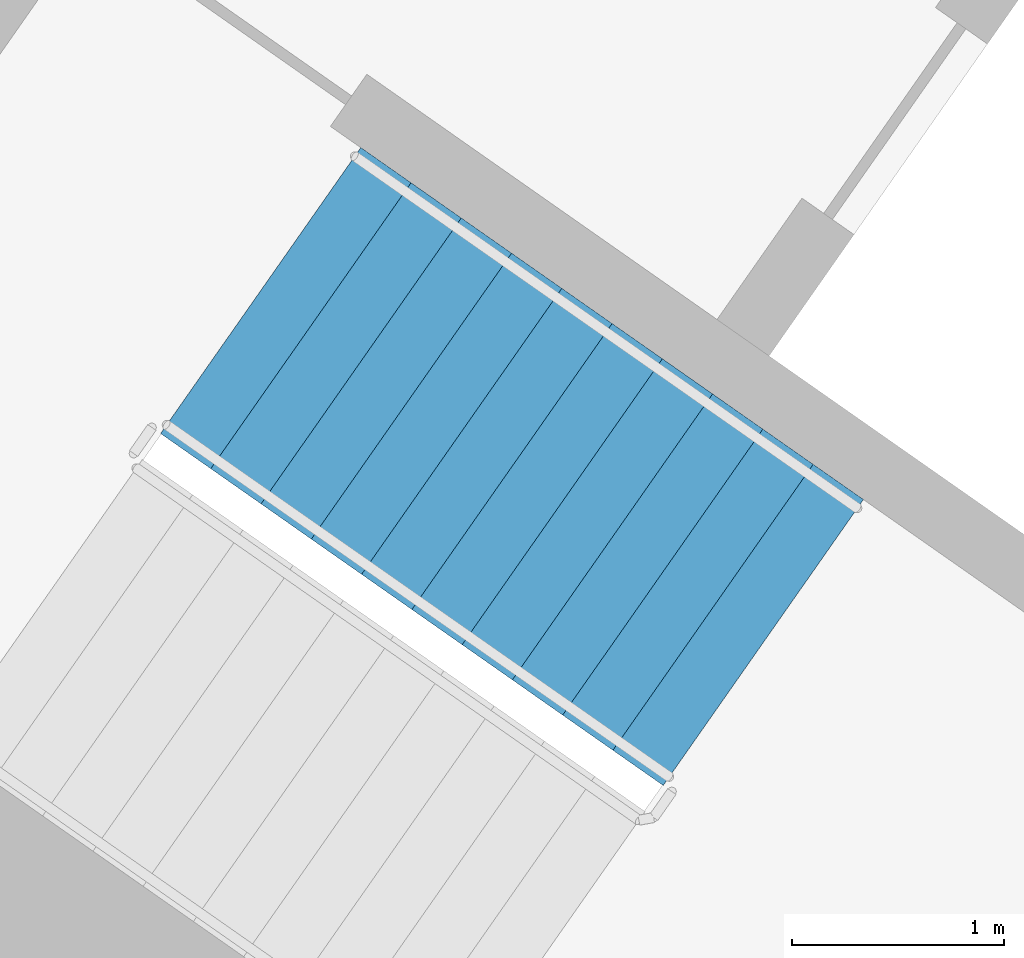
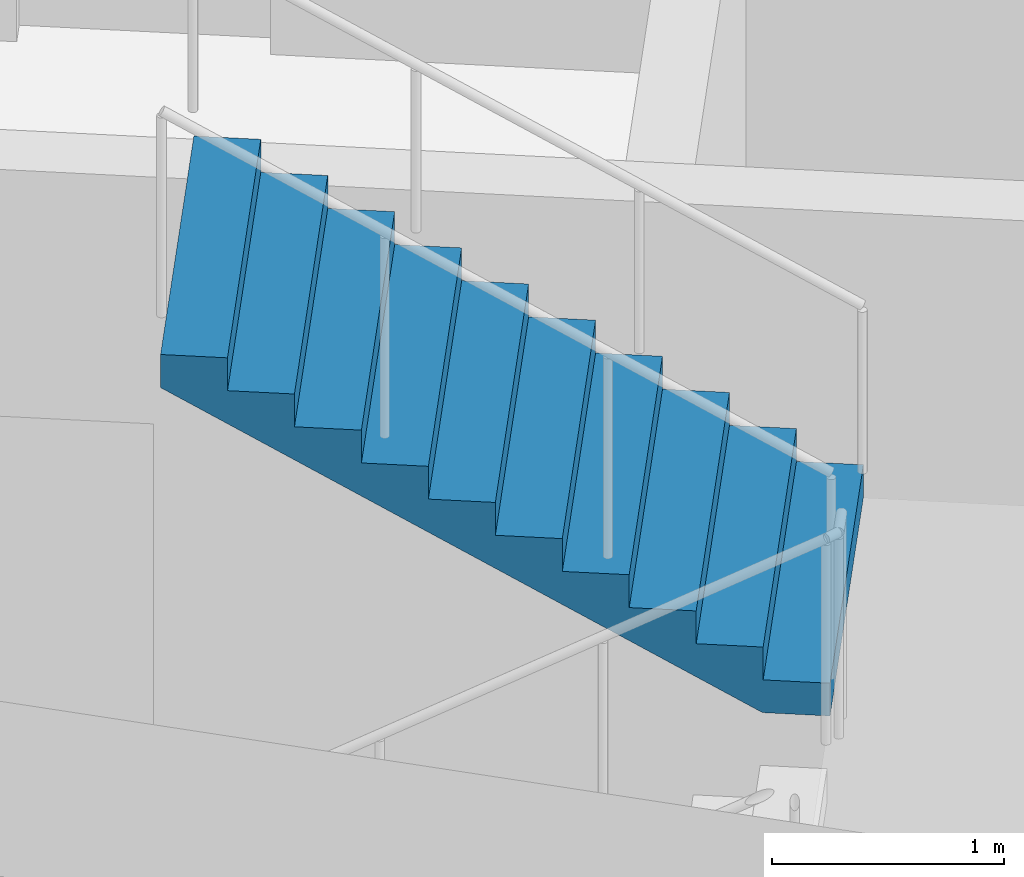
# One storey, part 11 of 31: 1 stair flight, 1 element without a shape of its own.
"""IFC4 building model written with IfcOpenShell, lengths in metres."""

from ifc_helpers import new_model, si_unit, direction, frame, origin, place, context, subcontext, project, spatial, faceted_brep, material, type_object, element, aggregate, save


model = new_model("IFC4")

# Units and contexts
model_context = context("Model", 3, precision=1e-05, world=origin(), true_north=direction((0.0, 1.0)))
body_context = subcontext(model_context, "Body", "Model", "MODEL_VIEW")
ifc_project = project(units=[si_unit("LENGTHUNIT", "METRE"), si_unit("AREAUNIT", "SQUARE_METRE"), si_unit("VOLUMEUNIT", "CUBIC_METRE"), si_unit("PLANEANGLEUNIT", "RADIAN"), si_unit("MASSUNIT", "GRAM", prefix="KILO")], contexts=[model_context])

# Site, building, storey
site_placement = place(None, origin())
site = spatial("IfcSite", under=ifc_project, at=site_placement, CompositionType="ELEMENT")
building_placement = place(site_placement, origin())
building = spatial("IfcBuilding", under=site, at=building_placement, Name="Qamariyya Broadcast Tower", CompositionType="ELEMENT")
storey_placement = place(building_placement, frame((0.0, 0.0, 86.10009765625)))
storey = spatial("IfcBuildingStorey", under=building, at=storey_placement, Name="L18", CompositionType="ELEMENT", Elevation=86.10009765625)

# Stair, stair flight
ifc_material = material(Name="Concrete C50/60", Category="concrete")
stair_type = type_object("IfcStairType", Name="Exit stair 22 risers of 173 mm", PredefinedType="HALF_TURN_STAIR", material=ifc_material)
stair_placement = place(storey_placement, origin())
stair = element("IfcStair", 1, at=stair_placement, inside=storey, type_object=stair_type, Name="L18 Stair W1", PredefinedType="HALF_TURN_STAIR")
stair_flight_type = type_object("IfcStairFlightType", Name="Exit stair flight 11 risers of 173 mm", PredefinedType="STRAIGHT", material=ifc_material)
stair_flight_placement = place(storey_placement, frame((-43.660888671875, -57.17138671875, 1.89990234375), z_axis=(0.0, 0.0, 1.0), x_axis=(-0.819152044289, 0.573576436351, 0.0)))
stair_flight = element("IfcStairFlight", 2, at=stair_flight_placement, type_object=stair_flight_type, Name="ST-W1 flight 2", NumberOfRisers=11, NumberOfTreads=10, PredefinedType="STRAIGHT", RiserHeight=0.172727273, TreadLength=0.29, context=body_context, shape_type="Brep", body=[
    faceted_brep([(0.0, 0.824951171875, 0.0), (0.0, 0.824951171875, 0.172607421875), (0.2900390625, 0.824951171875, 0.172607421875), (0.2900390625, 0.824951171875, 0.345458984375), (0.580078125, 0.824951171875, 0.345458984375), (0.580078125, 0.824951171875, 0.51806640625), (0.8701171875, 0.824951171875, 0.51806640625), (0.8701171875, 0.824951171875, 0.69091796875), (1.159912109375, 0.824951171875, 0.69091796875), (1.159912109375, 0.824951171875, 0.863525390625), (1.449951171875, 0.824951171875, 0.863525390625), (1.449951171875, 0.824951171875, 1.036376953125), (1.739990234375, 0.824951171875, 1.036376953125), (1.739990234375, 0.824951171875, 1.208984375), (2.030029296875, 0.824951171875, 1.208984375), (2.030029296875, 0.824951171875, 1.3818359375), (2.320068359375, 0.824951171875, 1.3818359375), (2.320068359375, 0.824951171875, 1.554443359375), (2.610107421875, 0.824951171875, 1.554443359375), (2.610107421875, 0.824951171875, 1.727294921875), (2.89990234375, 0.824951171875, 1.727294921875), (2.89990234375, 0.824951171875, 1.552734375), (0.29296875, 0.824951171875, 0.0), (0.29296875, -0.824951171875, 0.0), (2.89990234375, -0.824951171875, 1.552734375), (2.89990234375, -0.824951171875, 1.727294921875), (2.610107421875, -0.824951171875, 1.727294921875), (2.610107421875, -0.824951171875, 1.554443359375), (2.320068359375, -0.824951171875, 1.554443359375), (2.320068359375, -0.824951171875, 1.3818359375), (2.030029296875, -0.824951171875, 1.3818359375), (2.030029296875, -0.824951171875, 1.208984375), (1.739990234375, -0.824951171875, 1.208984375), (1.739990234375, -0.824951171875, 1.036376953125), (1.449951171875, -0.824951171875, 1.036376953125), (1.449951171875, -0.824951171875, 0.863525390625), (1.159912109375, -0.824951171875, 0.863525390625), (1.159912109375, -0.824951171875, 0.69091796875), (0.8701171875, -0.824951171875, 0.69091796875), (0.8701171875, -0.824951171875, 0.51806640625), (0.580078125, -0.824951171875, 0.51806640625), (0.580078125, -0.824951171875, 0.345458984375), (0.2900390625, -0.824951171875, 0.345458984375), (0.2900390625, -0.824951171875, 0.172607421875), (0.0, -0.824951171875, 0.172607421875), (0.0, -0.824951171875, 0.0), (0.0, 0.10009765625, 0.0), (0.0, 0.086669921875, 0.0), (0.0, 0.0732421875, 0.0), (0.0, 0.06005859375, 0.0), (0.0, 0.046630859375, 0.0), (0.0, 0.033447265625, 0.0), (0.0, 0.02001953125, 0.0), (0.0, 0.006591796875, 0.0), (0.0, -0.006591796875, 0.0), (0.0, -0.02001953125, 0.0), (0.0, -0.033447265625, 0.0), (0.0, -0.046630859375, 0.0), (0.0, -0.06005859375, 0.0), (0.0, -0.0732421875, 0.0), (0.0, -0.086669921875, 0.0), (0.0, -0.10009765625, 0.0), (0.0, -0.10009765625, 0.172607421875), (0.0, -0.086669921875, 0.172607421875), (0.0, -0.0732421875, 0.172607421875), (0.0, -0.06005859375, 0.172607421875), (0.0, -0.046630859375, 0.172607421875), (0.0, -0.033447265625, 0.172607421875), (0.0, -0.02001953125, 0.172607421875), (0.0, -0.006591796875, 0.172607421875), (0.0, 0.006591796875, 0.172607421875), (0.0, 0.02001953125, 0.172607421875), (0.0, 0.033447265625, 0.172607421875), (0.0, 0.046630859375, 0.172607421875), (0.0, 0.06005859375, 0.172607421875), (0.0, 0.0732421875, 0.172607421875), (0.0, 0.086669921875, 0.172607421875), (0.0, 0.10009765625, 0.172607421875), (0.2900390625, -0.10009765625, 0.172607421875), (0.2900390625, -0.086669921875, 0.172607421875), (0.2900390625, -0.0732421875, 0.172607421875), (0.2900390625, -0.06005859375, 0.172607421875), (0.2900390625, -0.046630859375, 0.172607421875), (0.2900390625, -0.033447265625, 0.172607421875), (0.2900390625, -0.02001953125, 0.172607421875), (0.2900390625, -0.006591796875, 0.172607421875), (0.2900390625, 0.006591796875, 0.172607421875), (0.2900390625, 0.02001953125, 0.172607421875), (0.2900390625, 0.033447265625, 0.172607421875), (0.2900390625, 0.046630859375, 0.172607421875), (0.2900390625, 0.06005859375, 0.172607421875), (0.2900390625, 0.0732421875, 0.172607421875), (0.2900390625, 0.086669921875, 0.172607421875), (0.2900390625, 0.10009765625, 0.172607421875), (0.2900390625, -0.10009765625, 0.345458984375), (0.2900390625, -0.086669921875, 0.345458984375), (0.2900390625, -0.0732421875, 0.345458984375), (0.2900390625, -0.06005859375, 0.345458984375), (0.2900390625, -0.046630859375, 0.345458984375), (0.2900390625, -0.033447265625, 0.345458984375), (0.2900390625, -0.02001953125, 0.345458984375), (0.2900390625, -0.006591796875, 0.345458984375), (0.2900390625, 0.006591796875, 0.345458984375), (0.2900390625, 0.02001953125, 0.345458984375), (0.2900390625, 0.033447265625, 0.345458984375), (0.2900390625, 0.046630859375, 0.345458984375), (0.2900390625, 0.06005859375, 0.345458984375), (0.2900390625, 0.0732421875, 0.345458984375), (0.2900390625, 0.086669921875, 0.345458984375), (0.2900390625, 0.10009765625, 0.345458984375), (0.580078125, -0.10009765625, 0.345458984375), (0.580078125, -0.086669921875, 0.345458984375), (0.580078125, -0.0732421875, 0.345458984375), (0.580078125, -0.06005859375, 0.345458984375), (0.580078125, -0.046630859375, 0.345458984375), (0.580078125, -0.033447265625, 0.345458984375), (0.580078125, -0.02001953125, 0.345458984375), (0.580078125, -0.006591796875, 0.345458984375), (0.580078125, 0.006591796875, 0.345458984375), (0.580078125, 0.02001953125, 0.345458984375), (0.580078125, 0.033447265625, 0.345458984375), (0.580078125, 0.046630859375, 0.345458984375), (0.580078125, 0.06005859375, 0.345458984375), (0.580078125, 0.0732421875, 0.345458984375), (0.580078125, 0.086669921875, 0.345458984375), (0.580078125, 0.10009765625, 0.345458984375), (0.580078125, -0.10009765625, 0.51806640625), (0.580078125, -0.086669921875, 0.51806640625), (0.580078125, -0.0732421875, 0.51806640625), (0.580078125, -0.06005859375, 0.51806640625), (0.580078125, -0.046630859375, 0.51806640625), (0.580078125, -0.033447265625, 0.51806640625), (0.580078125, -0.02001953125, 0.51806640625), (0.580078125, -0.006591796875, 0.51806640625), (0.580078125, 0.006591796875, 0.51806640625), (0.580078125, 0.02001953125, 0.51806640625), (0.580078125, 0.033447265625, 0.51806640625), (0.580078125, 0.046630859375, 0.51806640625), (0.580078125, 0.06005859375, 0.51806640625), (0.580078125, 0.0732421875, 0.51806640625), (0.580078125, 0.086669921875, 0.51806640625), (0.580078125, 0.10009765625, 0.51806640625), (0.8701171875, -0.10009765625, 0.51806640625), (0.8701171875, -0.086669921875, 0.51806640625), (0.8701171875, -0.0732421875, 0.51806640625), (0.8701171875, -0.06005859375, 0.51806640625), (0.8701171875, -0.046630859375, 0.51806640625), (0.8701171875, -0.033447265625, 0.51806640625), (0.8701171875, -0.02001953125, 0.51806640625), (0.8701171875, -0.006591796875, 0.51806640625), (0.8701171875, 0.006591796875, 0.51806640625), (0.8701171875, 0.02001953125, 0.51806640625), (0.8701171875, 0.033447265625, 0.51806640625), (0.8701171875, 0.046630859375, 0.51806640625), (0.8701171875, 0.06005859375, 0.51806640625), (0.8701171875, 0.0732421875, 0.51806640625), (0.8701171875, 0.086669921875, 0.51806640625), (0.8701171875, 0.10009765625, 0.51806640625), (0.8701171875, -0.10009765625, 0.69091796875), (0.8701171875, -0.086669921875, 0.69091796875), (0.8701171875, -0.0732421875, 0.69091796875), (0.8701171875, -0.06005859375, 0.69091796875), (0.8701171875, -0.046630859375, 0.69091796875), (0.8701171875, -0.033447265625, 0.69091796875), (0.8701171875, -0.02001953125, 0.69091796875), (0.8701171875, -0.006591796875, 0.69091796875), (0.8701171875, 0.006591796875, 0.69091796875), (0.8701171875, 0.02001953125, 0.69091796875), (0.8701171875, 0.033447265625, 0.69091796875), (0.8701171875, 0.046630859375, 0.69091796875), (0.8701171875, 0.06005859375, 0.69091796875), (0.8701171875, 0.0732421875, 0.69091796875), (0.8701171875, 0.086669921875, 0.69091796875), (0.8701171875, 0.10009765625, 0.69091796875), (1.159912109375, -0.10009765625, 0.69091796875), (1.159912109375, -0.086669921875, 0.69091796875), (1.159912109375, -0.0732421875, 0.69091796875), (1.159912109375, -0.06005859375, 0.69091796875), (1.159912109375, -0.046630859375, 0.69091796875), (1.159912109375, -0.033447265625, 0.69091796875), (1.159912109375, -0.02001953125, 0.69091796875), (1.159912109375, -0.006591796875, 0.69091796875), (1.159912109375, 0.006591796875, 0.69091796875), (1.159912109375, 0.02001953125, 0.69091796875), (1.159912109375, 0.033447265625, 0.69091796875), (1.159912109375, 0.046630859375, 0.69091796875), (1.159912109375, 0.06005859375, 0.69091796875), (1.159912109375, 0.0732421875, 0.69091796875), (1.159912109375, 0.086669921875, 0.69091796875), (1.159912109375, 0.10009765625, 0.69091796875), (1.159912109375, -0.10009765625, 0.863525390625), (1.159912109375, -0.086669921875, 0.863525390625), (1.159912109375, -0.0732421875, 0.863525390625), (1.159912109375, -0.06005859375, 0.863525390625), (1.159912109375, -0.046630859375, 0.863525390625), (1.159912109375, -0.033447265625, 0.863525390625), (1.159912109375, -0.02001953125, 0.863525390625), (1.159912109375, -0.006591796875, 0.863525390625), (1.159912109375, 0.006591796875, 0.863525390625), (1.159912109375, 0.02001953125, 0.863525390625), (1.159912109375, 0.033447265625, 0.863525390625), (1.159912109375, 0.046630859375, 0.863525390625), (1.159912109375, 0.06005859375, 0.863525390625), (1.159912109375, 0.0732421875, 0.863525390625), (1.159912109375, 0.086669921875, 0.863525390625), (1.159912109375, 0.10009765625, 0.863525390625), (1.449951171875, -0.10009765625, 0.863525390625), (1.449951171875, -0.086669921875, 0.863525390625), (1.449951171875, -0.0732421875, 0.863525390625), (1.449951171875, -0.06005859375, 0.863525390625), (1.449951171875, -0.046630859375, 0.863525390625), (1.449951171875, -0.033447265625, 0.863525390625), (1.449951171875, -0.02001953125, 0.863525390625), (1.449951171875, -0.006591796875, 0.863525390625), (1.449951171875, 0.006591796875, 0.863525390625), (1.449951171875, 0.02001953125, 0.863525390625), (1.449951171875, 0.033447265625, 0.863525390625), (1.449951171875, 0.046630859375, 0.863525390625), (1.449951171875, 0.06005859375, 0.863525390625), (1.449951171875, 0.0732421875, 0.863525390625), (1.449951171875, 0.086669921875, 0.863525390625), (1.449951171875, 0.10009765625, 0.863525390625), (1.449951171875, -0.10009765625, 1.036376953125), (1.449951171875, -0.086669921875, 1.036376953125), (1.449951171875, -0.0732421875, 1.036376953125), (1.449951171875, -0.06005859375, 1.036376953125), (1.449951171875, -0.046630859375, 1.036376953125), (1.449951171875, -0.033447265625, 1.036376953125), (1.449951171875, -0.02001953125, 1.036376953125), (1.449951171875, -0.006591796875, 1.036376953125), (1.449951171875, 0.006591796875, 1.036376953125), (1.449951171875, 0.02001953125, 1.036376953125), (1.449951171875, 0.033447265625, 1.036376953125), (1.449951171875, 0.046630859375, 1.036376953125), (1.449951171875, 0.06005859375, 1.036376953125), (1.449951171875, 0.0732421875, 1.036376953125), (1.449951171875, 0.086669921875, 1.036376953125), (1.449951171875, 0.10009765625, 1.036376953125), (1.739990234375, -0.10009765625, 1.036376953125), (1.739990234375, -0.086669921875, 1.036376953125), (1.739990234375, -0.0732421875, 1.036376953125), (1.739990234375, -0.06005859375, 1.036376953125), (1.739990234375, -0.046630859375, 1.036376953125), (1.739990234375, -0.033447265625, 1.036376953125), (1.739990234375, -0.02001953125, 1.036376953125), (1.739990234375, -0.006591796875, 1.036376953125), (1.739990234375, 0.006591796875, 1.036376953125), (1.739990234375, 0.02001953125, 1.036376953125), (1.739990234375, 0.033447265625, 1.036376953125), (1.739990234375, 0.046630859375, 1.036376953125), (1.739990234375, 0.06005859375, 1.036376953125), (1.739990234375, 0.0732421875, 1.036376953125), (1.739990234375, 0.086669921875, 1.036376953125), (1.739990234375, 0.10009765625, 1.036376953125), (1.739990234375, -0.10009765625, 1.208984375), (1.739990234375, -0.086669921875, 1.208984375), (1.739990234375, -0.0732421875, 1.208984375), (1.739990234375, -0.06005859375, 1.208984375), (1.739990234375, -0.046630859375, 1.208984375), (1.739990234375, -0.033447265625, 1.208984375), (1.739990234375, -0.02001953125, 1.208984375), (1.739990234375, -0.006591796875, 1.208984375), (1.739990234375, 0.006591796875, 1.208984375), (1.739990234375, 0.02001953125, 1.208984375), (1.739990234375, 0.033447265625, 1.208984375), (1.739990234375, 0.046630859375, 1.208984375), (1.739990234375, 0.06005859375, 1.208984375), (1.739990234375, 0.0732421875, 1.208984375), (1.739990234375, 0.086669921875, 1.208984375), (1.739990234375, 0.10009765625, 1.208984375), (2.030029296875, -0.10009765625, 1.208984375), (2.030029296875, -0.086669921875, 1.208984375), (2.030029296875, -0.0732421875, 1.208984375), (2.030029296875, -0.06005859375, 1.208984375), (2.030029296875, -0.046630859375, 1.208984375), (2.030029296875, -0.033447265625, 1.208984375), (2.030029296875, -0.02001953125, 1.208984375), (2.030029296875, -0.006591796875, 1.208984375), (2.030029296875, 0.006591796875, 1.208984375), (2.030029296875, 0.02001953125, 1.208984375), (2.030029296875, 0.033447265625, 1.208984375), (2.030029296875, 0.046630859375, 1.208984375), (2.030029296875, 0.06005859375, 1.208984375), (2.030029296875, 0.0732421875, 1.208984375), (2.030029296875, 0.086669921875, 1.208984375), (2.030029296875, 0.10009765625, 1.208984375), (2.030029296875, -0.10009765625, 1.3818359375), (2.030029296875, -0.086669921875, 1.3818359375), (2.030029296875, -0.0732421875, 1.3818359375), (2.030029296875, -0.06005859375, 1.3818359375), (2.030029296875, -0.046630859375, 1.3818359375), (2.030029296875, -0.033447265625, 1.3818359375), (2.030029296875, -0.02001953125, 1.3818359375), (2.030029296875, -0.006591796875, 1.3818359375), (2.030029296875, 0.006591796875, 1.3818359375), (2.030029296875, 0.02001953125, 1.3818359375), (2.030029296875, 0.033447265625, 1.3818359375), (2.030029296875, 0.046630859375, 1.3818359375), (2.030029296875, 0.06005859375, 1.3818359375), (2.030029296875, 0.0732421875, 1.3818359375), (2.030029296875, 0.086669921875, 1.3818359375), (2.030029296875, 0.10009765625, 1.3818359375), (2.320068359375, -0.10009765625, 1.3818359375), (2.320068359375, -0.086669921875, 1.3818359375), (2.320068359375, -0.0732421875, 1.3818359375), (2.320068359375, -0.06005859375, 1.3818359375), (2.320068359375, -0.046630859375, 1.3818359375), (2.320068359375, -0.033447265625, 1.3818359375), (2.320068359375, -0.02001953125, 1.3818359375), (2.320068359375, -0.006591796875, 1.3818359375), (2.320068359375, 0.006591796875, 1.3818359375), (2.320068359375, 0.02001953125, 1.3818359375), (2.320068359375, 0.033447265625, 1.3818359375), (2.320068359375, 0.046630859375, 1.3818359375), (2.320068359375, 0.06005859375, 1.3818359375), (2.320068359375, 0.0732421875, 1.3818359375), (2.320068359375, 0.086669921875, 1.3818359375), (2.320068359375, 0.10009765625, 1.3818359375), (2.320068359375, -0.10009765625, 1.554443359375), (2.320068359375, -0.086669921875, 1.554443359375), (2.320068359375, -0.0732421875, 1.554443359375), (2.320068359375, -0.06005859375, 1.554443359375), (2.320068359375, -0.046630859375, 1.554443359375), (2.320068359375, -0.033447265625, 1.554443359375), (2.320068359375, -0.02001953125, 1.554443359375), (2.320068359375, -0.006591796875, 1.554443359375), (2.320068359375, 0.006591796875, 1.554443359375), (2.320068359375, 0.02001953125, 1.554443359375), (2.320068359375, 0.033447265625, 1.554443359375), (2.320068359375, 0.046630859375, 1.554443359375), (2.320068359375, 0.06005859375, 1.554443359375), (2.320068359375, 0.0732421875, 1.554443359375), (2.320068359375, 0.086669921875, 1.554443359375), (2.320068359375, 0.10009765625, 1.554443359375), (2.610107421875, -0.10009765625, 1.554443359375), (2.610107421875, -0.086669921875, 1.554443359375), (2.610107421875, -0.0732421875, 1.554443359375), (2.610107421875, -0.06005859375, 1.554443359375), (2.610107421875, -0.046630859375, 1.554443359375), (2.610107421875, -0.033447265625, 1.554443359375), (2.610107421875, -0.02001953125, 1.554443359375), (2.610107421875, -0.006591796875, 1.554443359375), (2.610107421875, 0.006591796875, 1.554443359375), (2.610107421875, 0.02001953125, 1.554443359375), (2.610107421875, 0.033447265625, 1.554443359375), (2.610107421875, 0.046630859375, 1.554443359375), (2.610107421875, 0.06005859375, 1.554443359375), (2.610107421875, 0.0732421875, 1.554443359375), (2.610107421875, 0.086669921875, 1.554443359375), (2.610107421875, 0.10009765625, 1.554443359375), (2.610107421875, -0.10009765625, 1.727294921875), (2.610107421875, -0.086669921875, 1.727294921875), (2.610107421875, -0.0732421875, 1.727294921875), (2.610107421875, -0.06005859375, 1.727294921875), (2.610107421875, -0.046630859375, 1.727294921875), (2.610107421875, -0.033447265625, 1.727294921875), (2.610107421875, -0.02001953125, 1.727294921875), (2.610107421875, -0.006591796875, 1.727294921875), (2.610107421875, 0.006591796875, 1.727294921875), (2.610107421875, 0.02001953125, 1.727294921875), (2.610107421875, 0.033447265625, 1.727294921875), (2.610107421875, 0.046630859375, 1.727294921875), (2.610107421875, 0.06005859375, 1.727294921875), (2.610107421875, 0.0732421875, 1.727294921875), (2.610107421875, 0.086669921875, 1.727294921875), (2.610107421875, 0.10009765625, 1.727294921875), (2.89990234375, -0.10009765625, 1.727294921875), (2.89990234375, -0.086669921875, 1.727294921875), (2.89990234375, -0.0732421875, 1.727294921875), (2.89990234375, -0.06005859375, 1.727294921875), (2.89990234375, -0.046630859375, 1.727294921875), (2.89990234375, -0.033447265625, 1.727294921875), (2.89990234375, -0.02001953125, 1.727294921875), (2.89990234375, -0.006591796875, 1.727294921875), (2.89990234375, 0.006591796875, 1.727294921875), (2.89990234375, 0.02001953125, 1.727294921875), (2.89990234375, 0.033447265625, 1.727294921875), (2.89990234375, 0.046630859375, 1.727294921875), (2.89990234375, 0.06005859375, 1.727294921875), (2.89990234375, 0.0732421875, 1.727294921875), (2.89990234375, 0.086669921875, 1.727294921875), (2.89990234375, 0.10009765625, 1.727294921875), (2.89990234375, -0.10009765625, 1.552734375), (2.89990234375, -0.086669921875, 1.552734375), (2.89990234375, -0.0732421875, 1.552734375), (2.89990234375, -0.06005859375, 1.552734375), (2.89990234375, -0.046630859375, 1.552734375), (2.89990234375, -0.033447265625, 1.552734375), (2.89990234375, -0.02001953125, 1.552734375), (2.89990234375, -0.006591796875, 1.552734375), (2.89990234375, 0.006591796875, 1.552734375), (2.89990234375, 0.02001953125, 1.552734375), (2.89990234375, 0.033447265625, 1.552734375), (2.89990234375, 0.046630859375, 1.552734375), (2.89990234375, 0.06005859375, 1.552734375), (2.89990234375, 0.0732421875, 1.552734375), (2.89990234375, 0.086669921875, 1.552734375), (2.89990234375, 0.10009765625, 1.552734375), (0.29296875, -0.10009765625, 0.0), (0.29296875, -0.086669921875, 0.0), (0.29296875, -0.0732421875, 0.0), (0.29296875, -0.06005859375, 0.0), (0.29296875, -0.046630859375, 0.0), (0.29296875, -0.033447265625, 0.0), (0.29296875, -0.02001953125, 0.0), (0.29296875, -0.006591796875, 0.0), (0.29296875, 0.006591796875, 0.0), (0.29296875, 0.02001953125, 0.0), (0.29296875, 0.033447265625, 0.0), (0.29296875, 0.046630859375, 0.0), (0.29296875, 0.06005859375, 0.0), (0.29296875, 0.0732421875, 0.0), (0.29296875, 0.086669921875, 0.0), (0.29296875, 0.10009765625, 0.0)], [[[0, 1, 2, 3, 4, 5, 6, 7, 8, 9, 10, 11, 12, 13, 14, 15, 16, 17, 18, 19, 20, 21, 22]], [[23, 24, 25, 26, 27, 28, 29, 30, 31, 32, 33, 34, 35, 36, 37, 38, 39, 40, 41, 42, 43, 44, 45]], [[0, 46, 47, 48, 49, 50, 51, 52, 53, 54, 55, 56, 57, 58, 59, 60, 61, 45, 44, 62, 63, 64, 65, 66, 67, 68, 69, 70, 71, 72, 73, 74, 75, 76, 77, 1]], [[1, 77, 76, 75, 74, 73, 72, 71, 70, 69, 68, 67, 66, 65, 64, 63, 62, 44, 43, 78, 79, 80, 81, 82, 83, 84, 85, 86, 87, 88, 89, 90, 91, 92, 93, 2]], [[2, 93, 92, 91, 90, 89, 88, 87, 86, 85, 84, 83, 82, 81, 80, 79, 78, 43, 42, 94, 95, 96, 97, 98, 99, 100, 101, 102, 103, 104, 105, 106, 107, 108, 109, 3]], [[3, 109, 108, 107, 106, 105, 104, 103, 102, 101, 100, 99, 98, 97, 96, 95, 94, 42, 41, 110, 111, 112, 113, 114, 115, 116, 117, 118, 119, 120, 121, 122, 123, 124, 125, 4]], [[4, 125, 124, 123, 122, 121, 120, 119, 118, 117, 116, 115, 114, 113, 112, 111, 110, 41, 40, 126, 127, 128, 129, 130, 131, 132, 133, 134, 135, 136, 137, 138, 139, 140, 141, 5]], [[5, 141, 140, 139, 138, 137, 136, 135, 134, 133, 132, 131, 130, 129, 128, 127, 126, 40, 39, 142, 143, 144, 145, 146, 147, 148, 149, 150, 151, 152, 153, 154, 155, 156, 157, 6]], [[6, 157, 156, 155, 154, 153, 152, 151, 150, 149, 148, 147, 146, 145, 144, 143, 142, 39, 38, 158, 159, 160, 161, 162, 163, 164, 165, 166, 167, 168, 169, 170, 171, 172, 173, 7]], [[7, 173, 172, 171, 170, 169, 168, 167, 166, 165, 164, 163, 162, 161, 160, 159, 158, 38, 37, 174, 175, 176, 177, 178, 179, 180, 181, 182, 183, 184, 185, 186, 187, 188, 189, 8]], [[8, 189, 188, 187, 186, 185, 184, 183, 182, 181, 180, 179, 178, 177, 176, 175, 174, 37, 36, 190, 191, 192, 193, 194, 195, 196, 197, 198, 199, 200, 201, 202, 203, 204, 205, 9]], [[9, 205, 204, 203, 202, 201, 200, 199, 198, 197, 196, 195, 194, 193, 192, 191, 190, 36, 35, 206, 207, 208, 209, 210, 211, 212, 213, 214, 215, 216, 217, 218, 219, 220, 221, 10]], [[10, 221, 220, 219, 218, 217, 216, 215, 214, 213, 212, 211, 210, 209, 208, 207, 206, 35, 34, 222, 223, 224, 225, 226, 227, 228, 229, 230, 231, 232, 233, 234, 235, 236, 237, 11]], [[11, 237, 236, 235, 234, 233, 232, 231, 230, 229, 228, 227, 226, 225, 224, 223, 222, 34, 33, 238, 239, 240, 241, 242, 243, 244, 245, 246, 247, 248, 249, 250, 251, 252, 253, 12]], [[12, 253, 252, 251, 250, 249, 248, 247, 246, 245, 244, 243, 242, 241, 240, 239, 238, 33, 32, 254, 255, 256, 257, 258, 259, 260, 261, 262, 263, 264, 265, 266, 267, 268, 269, 13]], [[13, 269, 268, 267, 266, 265, 264, 263, 262, 261, 260, 259, 258, 257, 256, 255, 254, 32, 31, 270, 271, 272, 273, 274, 275, 276, 277, 278, 279, 280, 281, 282, 283, 284, 285, 14]], [[14, 285, 284, 283, 282, 281, 280, 279, 278, 277, 276, 275, 274, 273, 272, 271, 270, 31, 30, 286, 287, 288, 289, 290, 291, 292, 293, 294, 295, 296, 297, 298, 299, 300, 301, 15]], [[15, 301, 300, 299, 298, 297, 296, 295, 294, 293, 292, 291, 290, 289, 288, 287, 286, 30, 29, 302, 303, 304, 305, 306, 307, 308, 309, 310, 311, 312, 313, 314, 315, 316, 317, 16]], [[16, 317, 316, 315, 314, 313, 312, 311, 310, 309, 308, 307, 306, 305, 304, 303, 302, 29, 28, 318, 319, 320, 321, 322, 323, 324, 325, 326, 327, 328, 329, 330, 331, 332, 333, 17]], [[17, 333, 332, 331, 330, 329, 328, 327, 326, 325, 324, 323, 322, 321, 320, 319, 318, 28, 27, 334, 335, 336, 337, 338, 339, 340, 341, 342, 343, 344, 345, 346, 347, 348, 349, 18]], [[18, 349, 348, 347, 346, 345, 344, 343, 342, 341, 340, 339, 338, 337, 336, 335, 334, 27, 26, 350, 351, 352, 353, 354, 355, 356, 357, 358, 359, 360, 361, 362, 363, 364, 365, 19]], [[19, 365, 364, 363, 362, 361, 360, 359, 358, 357, 356, 355, 354, 353, 352, 351, 350, 26, 25, 366, 367, 368, 369, 370, 371, 372, 373, 374, 375, 376, 377, 378, 379, 380, 381, 20]], [[20, 381, 380, 379, 378, 377, 376, 375, 374, 373, 372, 371, 370, 369, 368, 367, 366, 25, 24, 382, 383, 384, 385, 386, 387, 388, 389, 390, 391, 392, 393, 394, 395, 396, 397, 21]], [[21, 397, 396, 395, 394, 393, 392, 391, 390, 389, 388, 387, 386, 385, 384, 383, 382, 24, 23, 398, 399, 400, 401, 402, 403, 404, 405, 406, 407, 408, 409, 410, 411, 412, 413, 22]], [[22, 413, 412, 411, 410, 409, 408, 407, 406, 405, 404, 403, 402, 401, 400, 399, 398, 23, 45, 61, 60, 59, 58, 57, 56, 55, 54, 53, 52, 51, 50, 49, 48, 47, 46, 0]]]),
])
aggregate(stair, [stair_flight])

save(model, "model.ifc")
